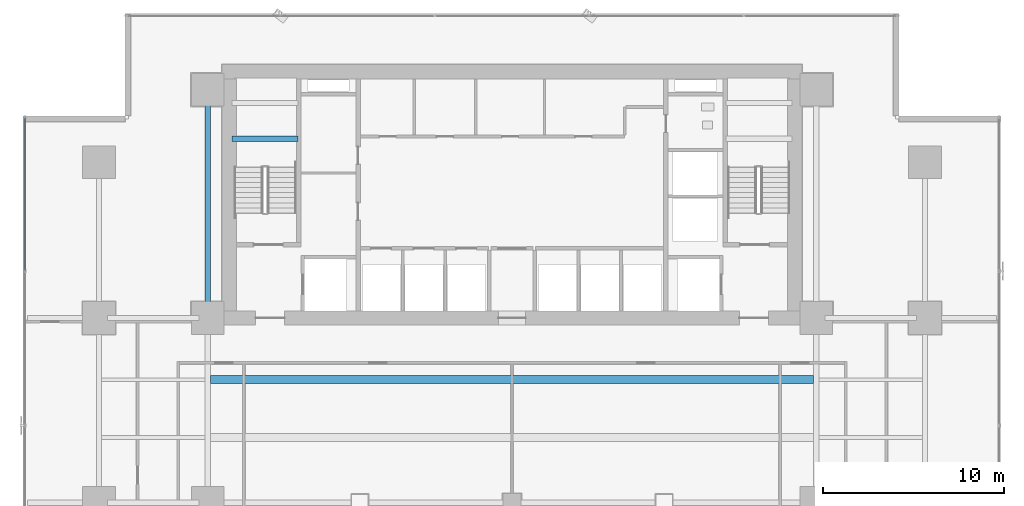
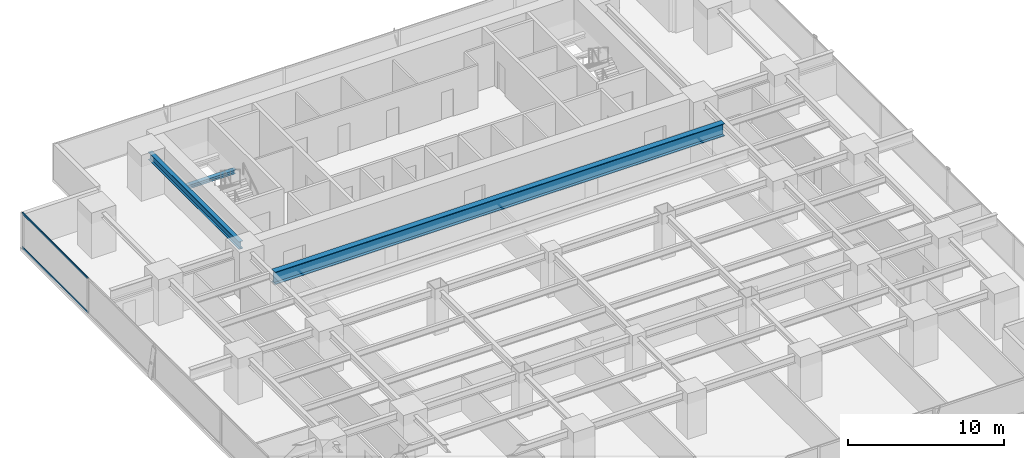
# One storey, part 17 of 34: 3 beams, 2 members, 1 element without a shape of its own.
"""IFC4 building model written with IfcOpenShell, lengths in metres."""

from ifc_helpers import new_model, si_unit, direction, frame, origin, origin_2d, place, context, subcontext, project, spatial, hollow_rectangle, i_section, extrude, source, transform, mapped, material, layer, layer_set, material_profile, profile_set, type_object, element, aggregate, save


model = new_model("IFC4")

# Units and contexts
model_context = context("Model", 3, precision=1e-05, world=origin(), true_north=direction((0.0, 1.0)))
body_context = subcontext(model_context, "Body", "Model", "MODEL_VIEW")
ifc_project = project(units=[si_unit("LENGTHUNIT", "METRE"), si_unit("AREAUNIT", "SQUARE_METRE"), si_unit("VOLUMEUNIT", "CUBIC_METRE"), si_unit("PLANEANGLEUNIT", "RADIAN"), si_unit("MASSUNIT", "GRAM", prefix="KILO")], contexts=[model_context])

# Site, building, storey
site_placement = place(None, origin())
site = spatial("IfcSite", under=ifc_project, at=site_placement, CompositionType="ELEMENT")
building_placement = place(site_placement, origin())
building = spatial("IfcBuilding", under=site, at=building_placement, Name="Sumidabori Civic Tower", CompositionType="ELEMENT")
storey_placement = place(building_placement, frame((0.0, 0.0, 41.60009765625)))
storey = spatial("IfcBuildingStorey", under=building, at=storey_placement, Name="L10", CompositionType="ELEMENT", Elevation=41.60009765625)

# Beams
ifc_material_1 = material(Name="Steel SN490", Category="steel")
ifc_material_profile_1 = material_profile(ifc_material_1, i_section(OverallWidth=0.300048828125, OverallDepth=0.300048828125, WebThickness=0.010986328125, FlangeThickness=0.01904296875, at=origin_2d()), Name="HE 300 B")
ifc_profile_set_1 = profile_set([ifc_material_profile_1], Name="Steel SN490")
beam_type_1 = type_object("IfcBeamType", Name="BM-LDG-300", PredefinedType="BEAM", material=ifc_profile_set_1)
shared_shape_1 = source(origin(), body_context, "Body", "SweptSolid", [
    extrude(i_section(OverallWidth=0.300048828125, OverallDepth=0.300048828125, WebThickness=0.010986328125, FlangeThickness=0.01904296875, at=origin_2d()), origin(), (0.0, 0.0, 1.0), 3.64990234375),
])
beam_1_placement = place(storey_placement, frame((-15.449951171875, 20.09765625, 1.449951171875), z_axis=(1.0, 0.0, 0.0), x_axis=(0.0, 1.0, 0.0)))
element("IfcBeam", 1, at=beam_1_placement, inside=storey, type_object=beam_type_1, Name="Stair ST-1 Landing Support Beam L10-1A", PredefinedType="BEAM", context=body_context, shape_type="MappedRepresentation", body=[
    mapped(shared_shape_1, transform((0.0, 0.0, 0.0), x_axis=(1.0, 0.0, 0.0), y_axis=(0.0, 1.0, 0.0), z_axis=(0.0, 0.0, 1.0), scale=1.0)),
])
ifc_material_profile_2 = material_profile(ifc_material_1, i_section(OverallWidth=0.300048828125, OverallDepth=0.60009765625, WebThickness=0.015380859375, FlangeThickness=0.030029296875, at=origin_2d()), Name="HE 600 B")
ifc_profile_set_2 = profile_set([ifc_material_profile_2], Name="Steel SN490")
beam_type_2 = type_object("IfcBeamType", Name="BM-GIRD-600", PredefinedType="BEAM", material=ifc_profile_set_2)
shared_shape_2 = source(origin(), body_context, "Body", "SweptSolid", [
    extrude(i_section(OverallWidth=0.300048828125, OverallDepth=0.60009765625, WebThickness=0.015380859375, FlangeThickness=0.030029296875, at=origin_2d()), origin(), (0.0, 0.0, 1.0), 11.64013671875),
])
beam_2_placement = place(storey_placement, frame((-16.800048828125, 10.679931640625, 3.059814453125), z_axis=(0.0, 1.0, 0.0), x_axis=(-1.0, 0.0, 0.0)))
element("IfcBeam", 2, at=beam_2_placement, inside=storey, type_object=beam_type_2, Name="Primary Girder L10 GY-28", PredefinedType="BEAM", context=body_context, shape_type="MappedRepresentation", body=[
    mapped(shared_shape_2, transform((0.0, 0.0, 0.0), x_axis=(1.0, 0.0, 0.0), y_axis=(0.0, 1.0, 0.0), z_axis=(0.0, 0.0, 1.0), scale=1.0)),
])
ifc_material_2 = material(Name="Steel SM570", Category="steel")
ifc_material_profile_3 = material_profile(ifc_material_2, i_section(OverallWidth=0.427978515625, OverallDepth=0.97509765625, WebThickness=0.02392578125, FlangeThickness=0.04296875, at=origin_2d()), Name="W36X395")
ifc_profile_set_3 = profile_set([ifc_material_profile_3], Name="Steel SM570")
beam_type_3 = type_object("IfcBeamType", Name="BM-HEAVY-W36B", PredefinedType="BEAM", material=ifc_profile_set_3)
shared_shape_3 = source(origin(), body_context, "Body", "SweptSolid", [
    extrude(i_section(OverallWidth=0.427978515625, OverallDepth=0.97509765625, WebThickness=0.02392578125, FlangeThickness=0.04296875, at=origin_2d()), origin(), (0.0, 0.0, 1.0), 33.2998046875),
])
beam_3_placement = place(storey_placement, frame((-16.64990234375, 6.800048828125, 2.872314453125), z_axis=(1.0, 0.0, 0.0), x_axis=(0.0, 1.0, 0.0)))
element("IfcBeam", 3, at=beam_3_placement, inside=storey, type_object=beam_type_3, Name="North Bay Floor Beam L10 JSTN-60", PredefinedType="BEAM", context=body_context, shape_type="MappedRepresentation", body=[
    mapped(shared_shape_3, transform((0.0, 0.0, 0.0), x_axis=(1.0, 0.0, 0.0), y_axis=(0.0, 1.0, 0.0), z_axis=(0.0, 0.0, 1.0), scale=1.0)),
])

# Curtain wall, members
ifc_material_3 = material(Name="Anodised Bronze Aluminium AW-6063-T6", Category="aluminium")
ifc_layer = layer(ifc_material_3, 0.179931640625, Name="Anodised Bronze Aluminium AW-6063-T6")
ifc_layer_set = layer_set([ifc_layer], Name="Anodised Bronze Aluminium AW-6063-T6")
curtain_wall_type = type_object("IfcCurtainWallType", Name="CW-SYS-2", PredefinedType="NOTDEFINED", material=ifc_layer_set)
curtain_wall_placement = place(storey_placement, origin())
curtain_wall = element("IfcCurtainWall", 4, at=curtain_wall_placement, inside=storey, type_object=curtain_wall_type, Name="Curtain Wall CW:L10:R10", PredefinedType="NOTDEFINED")
ifc_material_profile_4 = material_profile(ifc_material_3, hollow_rectangle(XDim=0.06494140625, YDim=0.14990234375, WallThickness=0.0048828125, at=origin_2d()), Name="ALU TRANSOM 150x65")
ifc_profile_set_4 = profile_set([ifc_material_profile_4], Name="Anodised Bronze Aluminium AW-6063-T6")
member_type = type_object("IfcMemberType", Name="CW-TRN-150", PredefinedType="USERDEFINED", material=ifc_profile_set_4)
shared_shape_4 = source(origin(), body_context, "Body", "SweptSolid", [
    extrude(hollow_rectangle(XDim=0.06494140625, YDim=0.14990234375, WallThickness=0.0048828125, at=origin_2d()), origin(), (0.0, 0.0, 1.0), 8.423095703125),
])
member_1_placement = place(storey_placement, frame((-26.8798828125, 21.25, 0.032470703125), z_axis=(0.0, -1.0, 0.0), x_axis=(1.0, 0.0, 0.0)))
member_1 = element("IfcMember", 5, at=member_1_placement, type_object=member_type, Name="CW-2 transom 1.1", ObjectType="TRANSOM", PredefinedType="USERDEFINED", context=body_context, shape_type="MappedRepresentation", body=[
    mapped(shared_shape_4, transform((0.0, 0.0, 0.0), x_axis=(1.0, 0.0, 0.0), y_axis=(0.0, 1.0, 0.0), z_axis=(0.0, 0.0, 1.0), scale=1.0)),
])
member_2_placement = place(storey_placement, frame((-26.8798828125, 21.25, 2.70751953125), z_axis=(0.0, -1.0, 0.0), x_axis=(1.0, 0.0, 0.0)))
member_2 = element("IfcMember", 6, at=member_2_placement, type_object=member_type, Name="CW-2 transom 1.2", ObjectType="TRANSOM", PredefinedType="USERDEFINED", context=body_context, shape_type="MappedRepresentation", body=[
    mapped(shared_shape_4, transform((0.0, 0.0, 0.0), x_axis=(1.0, 0.0, 0.0), y_axis=(0.0, 1.0, 0.0), z_axis=(0.0, 0.0, 1.0), scale=1.0)),
])
aggregate(curtain_wall, [member_1, member_2])

save(model, "model.ifc")
